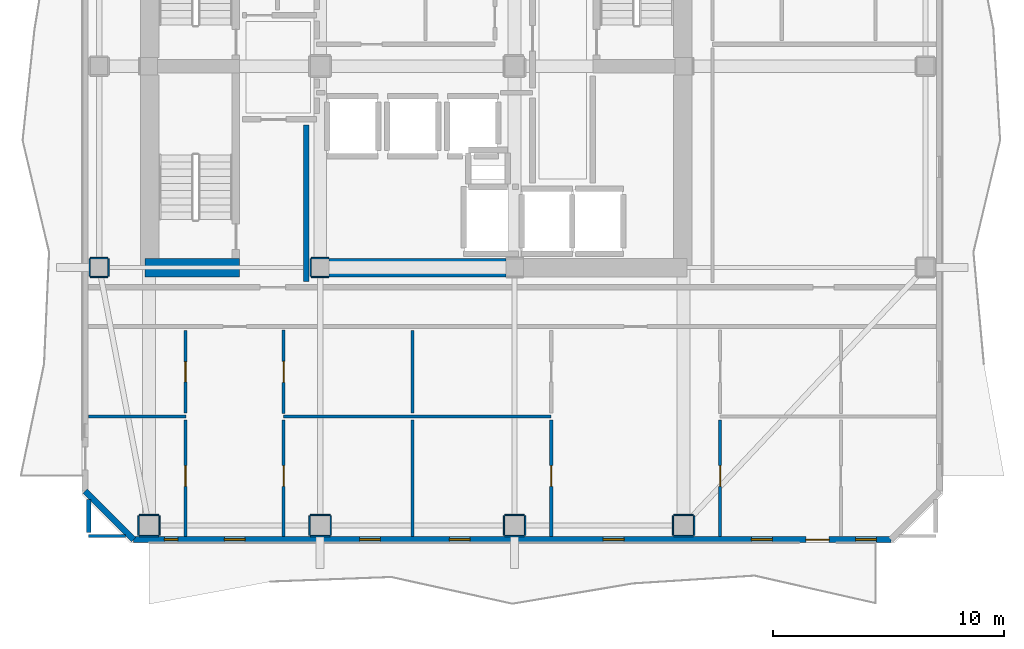
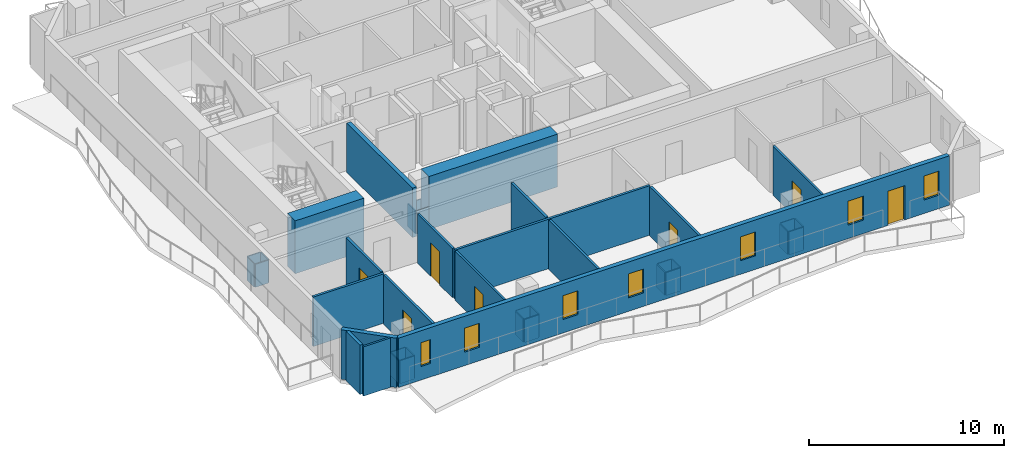
# One storey, part 2 of 9: 40 walls, 7 doors, 7 windows, 14 openings.
"""IFC4 building model written with IfcOpenShell, lengths in metres."""

from ifc_helpers import new_model, si_unit, direction, frame, frame_2d, origin, place, context, subcontext, project, spatial, rectangle, extrude, material, layer, layer_set, type_object, element, fill, save


model = new_model("IFC4")

# Units and contexts
model_context = context("Model", 3, precision=1e-05, world=origin(), true_north=direction((0.0, 1.0)))
body_context = subcontext(model_context, "Body", "Model", "MODEL_VIEW")
ifc_project = project(units=[si_unit("LENGTHUNIT", "METRE"), si_unit("AREAUNIT", "SQUARE_METRE"), si_unit("VOLUMEUNIT", "CUBIC_METRE"), si_unit("PLANEANGLEUNIT", "RADIAN"), si_unit("MASSUNIT", "GRAM", prefix="KILO")], contexts=[model_context])

# Site, building, storey
site_placement = place(None, origin())
site = spatial("IfcSite", under=ifc_project, at=site_placement, CompositionType="ELEMENT")
building_placement = place(site_placement, origin())
building = spatial("IfcBuilding", under=site, at=building_placement, Name="Solanera Arch Residences", CompositionType="ELEMENT")
storey_placement = place(building_placement, frame((0.0, 0.0, 220.0400390625)))
storey = spatial("IfcBuildingStorey", under=building, at=storey_placement, Name="L64", CompositionType="ELEMENT", Elevation=220.0400390625)

# Walls
ifc_material_1 = material(Name="Fire-Rated Gypsum Stud Partition", Category="gypsum")
ifc_layer_1 = layer(ifc_material_1, 0.06005859375)
ifc_layer_set_1 = layer_set([ifc_layer_1], Name="Fire-Rated Gypsum Stud Partition")
wall_type_1 = type_object("IfcWallType", Name="Column Acoustic Furring Wall 60", PredefinedType="PARTITIONING", material=ifc_layer_set_1)
for number, where, z_axis, x_axis, name in (
    (1, (20.425048828125, 21.593017578125, 0.0), (0.0, 0.0, 1.0), (1.0, 0.0, 0.0), "L64 Column Furring 1S"),
    (2, (20.425048828125, 22.406982421875, 0.0), (0.0, 0.0, 1.0), (1.0, 0.0, 0.0), "L64 Column Furring 1N"),
):
    element("IfcWall", number, at=place(storey_placement, frame(where, z_axis=z_axis, x_axis=x_axis)), inside=storey, type_object=wall_type_1, Name=name, PredefinedType="PARTITIONING", context=body_context, shape_type="SweptSolid", body=[
        extrude(rectangle(XDim=0.741943359375, YDim=0.06005859375, at=frame_2d((0.37109375, 0.0))), origin(), (0.0, 0.0, 1.0), 1.449951171875),
    ])
wall_1_placement = place(storey_placement, frame((20.39306640625, 21.625, 0.0), z_axis=(0.0, 0.0, 1.0), x_axis=(0.0, 1.0, 0.0)))
element("IfcWall", 3, at=wall_1_placement, inside=storey, type_object=wall_type_1, Name="L64 Column Furring 1W", PredefinedType="PARTITIONING", context=body_context, shape_type="SweptSolid", body=[
    extrude(rectangle(XDim=0.75, YDim=0.06005859375, at=frame_2d((0.375, 0.0))), origin(), (0.0, 0.0, 1.0), 1.449951171875),
])
for number, where, z_axis, x_axis, name in (
    (4, (12.97509765625, 10.39306640625, 0.0), (0.0, 0.0, 1.0), (1.0, 0.0, 0.0), "L64 Column Furring 9S"),
    (5, (12.97509765625, 11.306884765625, 0.0), (0.0, 0.0, 1.0), (1.0, 0.0, 0.0), "L64 Column Furring 9N"),
    (6, (12.943115234375, 10.425048828125, 0.0), (0.0, 0.0, 1.0), (0.0, 1.0, 0.0), "L64 Column Furring 9W"),
    (7, (13.85693359375, 10.425048828125, 0.0), (0.0, 0.0, 1.0), (0.0, 1.0, 0.0), "L64 Column Furring 9E"),
):
    element("IfcWall", number, at=place(storey_placement, frame(where, z_axis=z_axis, x_axis=x_axis)), inside=storey, type_object=wall_type_1, Name=name, PredefinedType="PARTITIONING", context=body_context, shape_type="SweptSolid", body=[
        extrude(rectangle(XDim=0.849853515625, YDim=0.06005859375, at=frame_2d((0.4248046875, 0.0))), origin(), (0.0, 0.0, 1.0), 1.449951171875),
    ])
for number, where, z_axis, x_axis, name in (
    (8, (20.375, 10.39306640625, 0.0), (0.0, 0.0, 1.0), (1.0, 0.0, 0.0), "L64 Column Furring 11S"),
    (9, (20.375, 11.306884765625, 0.0), (0.0, 0.0, 1.0), (1.0, 0.0, 0.0), "L64 Column Furring 11N"),
):
    element("IfcWall", number, at=place(storey_placement, frame(where, z_axis=z_axis, x_axis=x_axis)), inside=storey, type_object=wall_type_1, Name=name, PredefinedType="PARTITIONING", context=body_context, shape_type="SweptSolid", body=[
        extrude(rectangle(XDim=0.85009765625, YDim=0.06005859375, at=frame_2d((0.425048828125, 0.0))), origin(), (0.0, 0.0, 1.0), 1.449951171875),
    ])
for number, where, z_axis, x_axis, name in (
    (10, (20.343017578125, 10.425048828125, 0.0), (0.0, 0.0, 1.0), (0.0, 1.0, 0.0), "L64 Column Furring 11W"),
    (11, (21.257080078125, 10.425048828125, 0.0), (0.0, 0.0, 1.0), (0.0, 1.0, 0.0), "L64 Column Furring 11E"),
):
    element("IfcWall", number, at=place(storey_placement, frame(where, z_axis=z_axis, x_axis=x_axis)), inside=storey, type_object=wall_type_1, Name=name, PredefinedType="PARTITIONING", context=body_context, shape_type="SweptSolid", body=[
        extrude(rectangle(XDim=0.849853515625, YDim=0.06005859375, at=frame_2d((0.4248046875, 0.0))), origin(), (0.0, 0.0, 1.0), 1.449951171875),
    ])
for number, where, z_axis, x_axis, name in (
    (12, (28.77490234375, 10.39306640625, 0.0), (0.0, 0.0, 1.0), (1.0, 0.0, 0.0), "L64 Column Furring 13S"),
    (13, (28.77490234375, 11.306884765625, 0.0), (0.0, 0.0, 1.0), (1.0, 0.0, 0.0), "L64 Column Furring 13N"),
):
    element("IfcWall", number, at=place(storey_placement, frame(where, z_axis=z_axis, x_axis=x_axis)), inside=storey, type_object=wall_type_1, Name=name, PredefinedType="PARTITIONING", context=body_context, shape_type="SweptSolid", body=[
        extrude(rectangle(XDim=0.85009765625, YDim=0.06005859375, at=frame_2d((0.425048828125, 0.0))), origin(), (0.0, 0.0, 1.0), 1.449951171875),
    ])
for number, where, z_axis, x_axis, name in (
    (14, (28.742919921875, 10.425048828125, 0.0), (0.0, 0.0, 1.0), (0.0, 1.0, 0.0), "L64 Column Furring 13W"),
    (15, (29.656982421875, 10.425048828125, 0.0), (0.0, 0.0, 1.0), (0.0, 1.0, 0.0), "L64 Column Furring 13E"),
):
    element("IfcWall", number, at=place(storey_placement, frame(where, z_axis=z_axis, x_axis=x_axis)), inside=storey, type_object=wall_type_1, Name=name, PredefinedType="PARTITIONING", context=body_context, shape_type="SweptSolid", body=[
        extrude(rectangle(XDim=0.849853515625, YDim=0.06005859375, at=frame_2d((0.4248046875, 0.0))), origin(), (0.0, 0.0, 1.0), 1.449951171875),
    ])
for number, where, z_axis, x_axis, name in (
    (16, (36.074951171875, 10.39306640625, 0.0), (0.0, 0.0, 1.0), (1.0, 0.0, 0.0), "L64 Column Furring 15S"),
    (17, (36.074951171875, 11.306884765625, 0.0), (0.0, 0.0, 1.0), (1.0, 0.0, 0.0), "L64 Column Furring 15N"),
):
    element("IfcWall", number, at=place(storey_placement, frame(where, z_axis=z_axis, x_axis=x_axis)), inside=storey, type_object=wall_type_1, Name=name, PredefinedType="PARTITIONING", context=body_context, shape_type="SweptSolid", body=[
        extrude(rectangle(XDim=0.85009765625, YDim=0.06005859375, at=frame_2d((0.425048828125, 0.0))), origin(), (0.0, 0.0, 1.0), 1.449951171875),
    ])
for number, where, z_axis, x_axis, name in (
    (18, (36.04296875, 10.425048828125, 0.0), (0.0, 0.0, 1.0), (0.0, 1.0, 0.0), "L64 Column Furring 15W"),
    (19, (36.95703125, 10.425048828125, 0.0), (0.0, 0.0, 1.0), (0.0, 1.0, 0.0), "L64 Column Furring 15E"),
):
    element("IfcWall", number, at=place(storey_placement, frame(where, z_axis=z_axis, x_axis=x_axis)), inside=storey, type_object=wall_type_1, Name=name, PredefinedType="PARTITIONING", context=body_context, shape_type="SweptSolid", body=[
        extrude(rectangle(XDim=0.849853515625, YDim=0.06005859375, at=frame_2d((0.4248046875, 0.0))), origin(), (0.0, 0.0, 1.0), 1.449951171875),
    ])
for number, where, z_axis, x_axis, name in (
    (20, (10.875, 21.593017578125, 0.0), (0.0, 0.0, 1.0), (1.0, 0.0, 0.0), "L64 Column Furring 17S"),
    (21, (10.875, 22.406982421875, 0.0), (0.0, 0.0, 1.0), (1.0, 0.0, 0.0), "L64 Column Furring 17N"),
    (22, (10.843017578125, 21.625, 0.0), (0.0, 0.0, 1.0), (0.0, 1.0, 0.0), "L64 Column Furring 17W"),
    (23, (11.656982421875, 21.625, 0.0), (0.0, 0.0, 1.0), (0.0, 1.0, 0.0), "L64 Column Furring 17E"),
):
    element("IfcWall", number, at=place(storey_placement, frame(where, z_axis=z_axis, x_axis=x_axis)), inside=storey, type_object=wall_type_1, Name=name, PredefinedType="PARTITIONING", context=body_context, shape_type="SweptSolid", body=[
        extrude(rectangle(XDim=0.75, YDim=0.06005859375, at=frame_2d((0.375, 0.0))), origin(), (0.0, 0.0, 1.0), 1.449951171875),
    ])
ifc_material_2 = material(Name="Concrete C40/50 (f'c = 45 MPa)", Category="concrete")
ifc_layer_2 = layer(ifc_material_2, 0.800048828125)
ifc_layer_set_2 = layer_set([ifc_layer_2], Name="Concrete C40/50 (f'c = 45 MPa)")
wall_type_2 = type_object("IfcWallType", Name="Core Shear Wall CW-800", PredefinedType="SHEAR", material=ifc_layer_set_2)
wall_2_placement = place(storey_placement, frame((13.239990234375, 22.0, 0.0), z_axis=(0.0, 0.0, 1.0), x_axis=(1.0, 0.0, 0.0)))
element("IfcWall", 24, at=wall_2_placement, inside=storey, type_object=wall_type_2, Name="L64 South-West Core Shear Wall", PredefinedType="SHEAR", context=body_context, shape_type="SweptSolid", body=[
    extrude(rectangle(XDim=4.080078125, YDim=0.800048828125, at=frame_2d((2.0400390625, 0.0))), origin(), (0.0, 0.0, 1.0), 3.320068359375),
])
wall_3_placement = place(storey_placement, frame((21.179931640625, 22.0, 0.0), z_axis=(0.0, 0.0, 1.0), x_axis=(1.0, 0.0, 0.0)))
element("IfcWall", 25, at=wall_3_placement, inside=storey, type_object=wall_type_2, Name="L64 Central South Core Shear Wall", PredefinedType="SHEAR", context=body_context, shape_type="SweptSolid", body=[
    extrude(rectangle(XDim=7.64013671875, YDim=0.800048828125, at=frame_2d((3.820068359375, 0.0))), origin(), (0.0, 0.0, 1.0), 3.320068359375),
])
ifc_material_3 = material(Name="Autoclaved Aerated Concrete Blockwork", Category="masonry")
ifc_layer_3 = layer(ifc_material_3, 0.179931640625)
ifc_layer_set_3 = layer_set([ifc_layer_3], Name="Autoclaved Aerated Concrete Blockwork")
wall_type_3 = type_object("IfcWallType", Name="Corridor Fire Partition 180", PredefinedType="PARTITIONING", material=ifc_layer_set_3)
wall_4_placement = place(storey_placement, frame((10.800048828125, 10.55810546875, 0.0), z_axis=(0.0, 0.0, 1.0), x_axis=(0.0, 1.0, 0.0)))
element("IfcWall", 26, at=wall_4_placement, inside=storey, type_object=wall_type_3, Name="L64 Interior Partition V6", PredefinedType="PARTITIONING", context=body_context, shape_type="SweptSolid", body=[
    extrude(rectangle(XDim=1.430908203125, YDim=0.179931640625, at=frame_2d((0.71533203125, 0.0))), origin(), (0.0, 0.0, 1.0), 3.099853515625),
])

# Wall, openings, door, windows
ifc_material_4 = material(Name="Precast Concrete C35/45", Category="concrete")
ifc_layer_4 = layer(ifc_material_4, 0.260009765625)
ifc_layer_set_4 = layer_set([ifc_layer_4], Name="Precast Concrete C35/45")
wall_type_4 = type_object("IfcWallType", Name="Exterior Wall Precast Masonry-Frame 260", PredefinedType="STANDARD", material=ifc_layer_set_4)
wall_5_placement = place(storey_placement, frame((45.455078125, 10.2451171875, 0.0), z_axis=(0.0, 0.0, 1.0), x_axis=(-1.0, 0.0, 0.0)))
wall_5 = element("IfcWall", 27, at=wall_5_placement, inside=storey, type_object=wall_type_4, Name="L64 Tower Exterior Precast Masonry-Frame Wall S", PredefinedType="STANDARD", context=body_context, shape_type="SweptSolid", body=[
    extrude(rectangle(XDim=32.7099609375, YDim=0.260009765625, at=frame_2d((16.35498046875, 0.0))), origin(), (0.0, 0.0, 1.0), 3.099853515625),
])
opening_1_placement = place(wall_5_placement, frame((2.6650390625, 0.0, 0.0)))
opening_1 = element("IfcOpeningElement", 28, at=opening_1_placement, cuts=wall_5, Name="Opening DB-01", PredefinedType="OPENING", context=body_context, shape_type="SweptSolid", body=[
    extrude(rectangle(XDim=1.0, YDim=2.14990234375, at=frame_2d((0.5, 1.074951171875))), frame((0.0, 0.139892578125, 0.0), z_axis=(0.0, -1.0, 0.0), x_axis=(1.0, 0.0, 0.0)), (0.0, 0.0, 1.0), 0.28),
])
opening_2_placement = place(wall_5_placement, frame((27.89697265625, 0.0, 0.85009765625)))
opening_2 = element("IfcOpeningElement", 29, at=opening_2_placement, cuts=wall_5, Name="Opening W-06", PredefinedType="OPENING", context=body_context, shape_type="SweptSolid", body=[
    extrude(rectangle(XDim=0.89990234375, YDim=1.5, at=frame_2d((0.449951171875, 0.75))), frame((0.0, 0.139892578125, 0.0), z_axis=(0.0, -1.0, 0.0), x_axis=(1.0, 0.0, 0.0)), (0.0, 0.0, 1.0), 0.28),
])
opening_3_placement = place(wall_5_placement, frame((30.804931640625, 0.0, 0.85009765625)))
opening_3 = element("IfcOpeningElement", 30, at=opening_3_placement, cuts=wall_5, Name="Opening W-14", PredefinedType="OPENING", context=body_context, shape_type="SweptSolid", body=[
    extrude(rectangle(XDim=0.580078125, YDim=1.5, at=frame_2d((0.2900390625, 0.75))), frame((0.0, 0.139892578125, 0.0), z_axis=(0.0, -1.0, 0.0), x_axis=(1.0, 0.0, 0.0)), (0.0, 0.0, 1.0), 0.28),
])
opening_4_placement = place(wall_5_placement, frame((22.050048828125, 0.0, 0.85009765625)))
opening_4 = element("IfcOpeningElement", 31, at=opening_4_placement, cuts=wall_5, Name="Opening W-06", PredefinedType="OPENING", context=body_context, shape_type="SweptSolid", body=[
    extrude(rectangle(XDim=0.89990234375, YDim=1.5, at=frame_2d((0.449951171875, 0.75))), frame((0.0, 0.139892578125, 0.0), z_axis=(0.0, -1.0, 0.0), x_axis=(1.0, 0.0, 0.0)), (0.0, 0.0, 1.0), 0.28),
])
opening_5_placement = place(wall_5_placement, frame((11.527099609375, 0.0, 0.85009765625)))
opening_5 = element("IfcOpeningElement", 32, at=opening_5_placement, cuts=wall_5, Name="Opening W-06", PredefinedType="OPENING", context=body_context, shape_type="SweptSolid", body=[
    extrude(rectangle(XDim=0.89990234375, YDim=1.5, at=frame_2d((0.449951171875, 0.75))), frame((0.0, 0.139892578125, 0.0), z_axis=(0.0, -1.0, 0.0), x_axis=(1.0, 0.0, 0.0)), (0.0, 0.0, 1.0), 0.28),
])
opening_6_placement = place(wall_5_placement, frame((18.175048828125, 0.0, 0.85009765625)))
opening_6 = element("IfcOpeningElement", 33, at=opening_6_placement, cuts=wall_5, Name="Opening W-06", PredefinedType="OPENING", context=body_context, shape_type="SweptSolid", body=[
    extrude(rectangle(XDim=0.89990234375, YDim=1.5, at=frame_2d((0.449951171875, 0.75))), frame((0.0, 0.139892578125, 0.0), z_axis=(0.0, -1.0, 0.0), x_axis=(1.0, 0.0, 0.0)), (0.0, 0.0, 1.0), 0.28),
])
opening_7_placement = place(wall_5_placement, frame((5.1201171875, 0.0, 0.85009765625)))
opening_7 = element("IfcOpeningElement", 34, at=opening_7_placement, cuts=wall_5, Name="Opening W-06", PredefinedType="OPENING", context=body_context, shape_type="SweptSolid", body=[
    extrude(rectangle(XDim=0.89990234375, YDim=1.5, at=frame_2d((0.449951171875, 0.75))), frame((0.0, 0.139892578125, 0.0), z_axis=(0.0, -1.0, 0.0), x_axis=(1.0, 0.0, 0.0)), (0.0, 0.0, 1.0), 0.28),
])
opening_8_placement = place(wall_5_placement, frame((0.623046875, 0.0, 0.85009765625)))
opening_8 = element("IfcOpeningElement", 35, at=opening_8_placement, cuts=wall_5, Name="Opening W-06", PredefinedType="OPENING", context=body_context, shape_type="SweptSolid", body=[
    extrude(rectangle(XDim=0.89990234375, YDim=1.5, at=frame_2d((0.449951171875, 0.75))), frame((0.0, 0.139892578125, 0.0), z_axis=(0.0, -1.0, 0.0), x_axis=(1.0, 0.0, 0.0)), (0.0, 0.0, 1.0), 0.28),
])
ifc_material_5 = material(Name="Anodised Aluminium Alloy 6063-T6", Category="aluminium")
door_type_1 = type_object("IfcDoorType", Name="Glazed Balcony Swing Door DB-01", OperationType="NOTDEFINED", PredefinedType="DOOR", material=ifc_material_5)
door_1_placement = place(opening_1_placement, origin())
door_1 = element("IfcDoor", 36, at=door_1_placement, inside=storey, type_object=door_type_1, Name="DR-L64-OUT-01", OperationType="SINGLE_SWING_RIGHT", OverallHeight=2.14990234375, OverallWidth=1.0, PredefinedType="DOOR", context=body_context, shape_type="SweptSolid", body=[
    extrude(rectangle(XDim=1.0, YDim=2.14990234375, at=frame_2d((0.5, 1.074951171875))), frame((0.0, 0.02490234375, 0.0), z_axis=(0.0, -1.0, 0.0), x_axis=(1.0, 0.0, 0.0)), (0.0, 0.0, 1.0), 0.050048828125),
])
fill(opening_1, door_1)
ifc_material_6 = material(Name="Double Glazed Low-E Laminated Glass", Category="glass")
window_type_1 = type_object("IfcWindowType", Name="Punched Window W-06", PartitioningType="SINGLE_PANEL", PredefinedType="WINDOW", material=ifc_material_6)
window_1_placement = place(opening_2_placement, origin())
window_1 = element("IfcWindow", 37, at=window_1_placement, inside=storey, type_object=window_type_1, Name="L64 6401-LIV Punched Window", OverallHeight=1.5, OverallWidth=0.89990234375, PartitioningType="SINGLE_PANEL", PredefinedType="WINDOW", context=body_context, shape_type="SweptSolid", body=[
    extrude(rectangle(XDim=0.89990234375, YDim=1.5, at=frame_2d((0.449951171875, 0.75))), frame((0.0, 0.030029296875, 0.0), z_axis=(0.0, -1.0, 0.0), x_axis=(1.0, 0.0, 0.0)), (0.0, 0.0, 1.0), 0.06005859375),
])
fill(opening_2, window_1)
window_2_placement = place(opening_4_placement, origin())
window_2 = element("IfcWindow", 38, at=window_2_placement, inside=storey, type_object=window_type_1, Name="L64 6401-BR2 Punched Window", OverallHeight=1.5, OverallWidth=0.89990234375, PartitioningType="SINGLE_PANEL", PredefinedType="WINDOW", context=body_context, shape_type="SweptSolid", body=[
    extrude(rectangle(XDim=0.89990234375, YDim=1.5, at=frame_2d((0.449951171875, 0.75))), frame((0.0, 0.030029296875, 0.0), z_axis=(0.0, -1.0, 0.0), x_axis=(1.0, 0.0, 0.0)), (0.0, 0.0, 1.0), 0.06005859375),
])
fill(opening_4, window_2)
window_3_placement = place(opening_5_placement, origin())
window_3 = element("IfcWindow", 39, at=window_3_placement, inside=storey, type_object=window_type_1, Name="L64 6402-LIV Punched Window", OverallHeight=1.5, OverallWidth=0.89990234375, PartitioningType="SINGLE_PANEL", PredefinedType="WINDOW", context=body_context, shape_type="SweptSolid", body=[
    extrude(rectangle(XDim=0.89990234375, YDim=1.5, at=frame_2d((0.449951171875, 0.75))), frame((0.0, 0.030029296875, 0.0), z_axis=(0.0, -1.0, 0.0), x_axis=(1.0, 0.0, 0.0)), (0.0, 0.0, 1.0), 0.06005859375),
])
fill(opening_5, window_3)
window_4_placement = place(opening_6_placement, origin())
window_4 = element("IfcWindow", 40, at=window_4_placement, inside=storey, type_object=window_type_1, Name="L64 6402-BR1 Punched Window", OverallHeight=1.5, OverallWidth=0.89990234375, PartitioningType="SINGLE_PANEL", PredefinedType="WINDOW", context=body_context, shape_type="SweptSolid", body=[
    extrude(rectangle(XDim=0.89990234375, YDim=1.5, at=frame_2d((0.449951171875, 0.75))), frame((0.0, 0.030029296875, 0.0), z_axis=(0.0, -1.0, 0.0), x_axis=(1.0, 0.0, 0.0)), (0.0, 0.0, 1.0), 0.06005859375),
])
fill(opening_6, window_4)
window_5_placement = place(opening_7_placement, origin())
window_5 = element("IfcWindow", 41, at=window_5_placement, inside=storey, type_object=window_type_1, Name="L64 6402-BR2 Punched Window", OverallHeight=1.5, OverallWidth=0.89990234375, PartitioningType="SINGLE_PANEL", PredefinedType="WINDOW", context=body_context, shape_type="SweptSolid", body=[
    extrude(rectangle(XDim=0.89990234375, YDim=1.5, at=frame_2d((0.449951171875, 0.75))), frame((0.0, 0.030029296875, 0.0), z_axis=(0.0, -1.0, 0.0), x_axis=(1.0, 0.0, 0.0)), (0.0, 0.0, 1.0), 0.06005859375),
])
fill(opening_7, window_5)
window_6_placement = place(opening_8_placement, origin())
window_6 = element("IfcWindow", 42, at=window_6_placement, inside=storey, type_object=window_type_1, Name="L64 6402-BR3 Punched Window", OverallHeight=1.5, OverallWidth=0.89990234375, PartitioningType="SINGLE_PANEL", PredefinedType="WINDOW", context=body_context, shape_type="SweptSolid", body=[
    extrude(rectangle(XDim=0.89990234375, YDim=1.5, at=frame_2d((0.449951171875, 0.75))), frame((0.0, 0.030029296875, 0.0), z_axis=(0.0, -1.0, 0.0), x_axis=(1.0, 0.0, 0.0)), (0.0, 0.0, 1.0), 0.06005859375),
])
fill(opening_8, window_6)
ifc_material_7 = material(Name="Double Glazed Low-E Laminated Glass", Category="glass")
window_type_2 = type_object("IfcWindowType", Name="Punched Window W-14", PartitioningType="SINGLE_PANEL", PredefinedType="WINDOW", material=ifc_material_7)
window_7_placement = place(opening_3_placement, origin())
window_7 = element("IfcWindow", 43, at=window_7_placement, inside=storey, type_object=window_type_2, Name="L64 6401-BR1 Punched Window", OverallHeight=1.5, OverallWidth=0.580078125, PartitioningType="SINGLE_PANEL", PredefinedType="WINDOW", context=body_context, shape_type="SweptSolid", body=[
    extrude(rectangle(XDim=0.580078125, YDim=1.5, at=frame_2d((0.2900390625, 0.75))), frame((0.0, 0.030029296875, 0.0), z_axis=(0.0, -1.0, 0.0), x_axis=(1.0, 0.0, 0.0)), (0.0, 0.0, 1.0), 0.06005859375),
])
fill(opening_3, window_7)

# Walls
wall_6_placement = place(storey_placement, frame((12.7451171875, 10.2451171875, 0.0), z_axis=(0.0, 0.0, 1.0), x_axis=(-0.707147883682, 0.707065676302, 0.0)))
element("IfcWall", 44, at=wall_6_placement, inside=storey, type_object=wall_type_4, Name="L64 Tower Exterior Precast Masonry-Frame Wall CH7", PredefinedType="STANDARD", context=body_context, shape_type="SweptSolid", body=[
    extrude(rectangle(XDim=2.9697265625, YDim=0.260009765625, at=frame_2d((1.48486328125, 0.0))), origin(), (0.0, 0.0, 1.0), 3.099853515625),
])
ifc_material_8 = material(Name="Autoclaved Aerated Concrete Blockwork", Category="masonry")
ifc_layer_5 = layer(ifc_material_8, 0.239990234375)
ifc_layer_set_5 = layer_set([ifc_layer_5], Name="Autoclaved Aerated Concrete Blockwork")
wall_type_5 = type_object("IfcWallType", Name="Shaft Wall Fire-Rated 240", PredefinedType="PARTITIONING", material=ifc_layer_set_5)
wall_7_placement = place(storey_placement, frame((20.199951171875, 21.39794921875, 0.0), z_axis=(0.0, 0.0, 1.0), x_axis=(0.0, 1.0, 0.0)))
element("IfcWall", 45, at=wall_7_placement, inside=storey, type_object=wall_type_5, Name="L64 Interior Partition V2", PredefinedType="PARTITIONING", context=body_context, shape_type="SweptSolid", body=[
    extrude(rectangle(XDim=6.754150390625, YDim=0.239990234375, at=frame_2d((3.376953125, 0.0))), origin(), (0.0, 0.0, 1.0), 3.099853515625),
])
ifc_material_9 = material(Name="Fire-Rated Gypsum Stud Partition", Category="gypsum")
ifc_layer_6 = layer(ifc_material_9, 0.1201171875)
ifc_layer_set_6 = layer_set([ifc_layer_6], Name="Fire-Rated Gypsum Stud Partition")
wall_type_6 = type_object("IfcWallType", Name="Unit Drywall Partition 120", PredefinedType="PARTITIONING", material=ifc_layer_set_6)
wall_8_placement = place(storey_placement, frame((10.800048828125, 10.39990234375, 0.0), z_axis=(0.0, 0.0, 1.0), x_axis=(1.0, 0.0, 0.0)))
element("IfcWall", 46, at=wall_8_placement, inside=storey, type_object=wall_type_6, Name="L64 Interior Partition H19 1", PredefinedType="PARTITIONING", context=body_context, shape_type="SweptSolid", body=[
    extrude(rectangle(XDim=1.5888671875, YDim=0.1201171875, at=frame_2d((0.79443359375, 0.0))), origin(), (0.0, 0.0, 1.0), 3.099853515625),
])

# Wall, opening, door
wall_9_placement = place(storey_placement, frame((19.219970703125, 10.386962890625, 0.0), z_axis=(0.0, 0.0, 1.0), x_axis=(0.0, 1.0, 0.0)))
wall_9 = element("IfcWall", 47, at=wall_9_placement, inside=storey, type_object=wall_type_6, Name="L64 Interior Partition V19 1", PredefinedType="PARTITIONING", context=body_context, shape_type="SweptSolid", body=[
    extrude(rectangle(XDim=5.033935546875, YDim=0.1201171875, at=frame_2d((2.51708984375, 0.0))), origin(), (0.0, 0.0, 1.0), 3.099853515625),
])
opening_9_placement = place(wall_9_placement, frame((2.155029296875, 0.0, 0.0)))
opening_9 = element("IfcOpeningElement", 48, at=opening_9_placement, cuts=wall_9, Name="Opening DI-03", PredefinedType="OPENING", context=body_context, shape_type="SweptSolid", body=[
    extrude(rectangle(XDim=0.89990234375, YDim=2.10009765625, at=frame_2d((0.449951171875, 1.050048828125))), frame((0.0, 0.070068359375, 0.0), z_axis=(0.0, -1.0, 0.0), x_axis=(1.0, 0.0, 0.0)), (0.0, 0.0, 1.0), 0.1401),
])
ifc_material_10 = material(Name="Fire-Rated Architectural Hardwood", Category="wood")
door_type_2 = type_object("IfcDoorType", Name="Bedroom Swing Door DI-03", OperationType="NOTDEFINED", PredefinedType="DOOR", material=ifc_material_10)
door_2_placement = place(opening_9_placement, origin())
door_2 = element("IfcDoor", 49, at=door_2_placement, inside=storey, type_object=door_type_2, Name="DR-L64-IN-018", OperationType="SINGLE_SWING_LEFT", OverallHeight=2.10009765625, OverallWidth=0.89990234375, PredefinedType="DOOR", context=body_context, shape_type="SweptSolid", body=[
    extrude(rectangle(XDim=0.89990234375, YDim=2.10009765625, at=frame_2d((0.449951171875, 1.050048828125))), frame((0.0, 0.02490234375, 0.0), z_axis=(0.0, -1.0, 0.0), x_axis=(1.0, 0.0, 0.0)), (0.0, 0.0, 1.0), 0.050048828125),
])
fill(opening_9, door_2)

wall_10_placement = place(storey_placement, frame((19.219970703125, 15.697021484375, 0.0), z_axis=(0.0, 0.0, 1.0), x_axis=(0.0, 1.0, 0.0)))
wall_10 = element("IfcWall", 50, at=wall_10_placement, inside=storey, type_object=wall_type_6, Name="L64 Interior Partition V19 2", PredefinedType="PARTITIONING", context=body_context, shape_type="SweptSolid", body=[
    extrude(rectangle(XDim=3.594970703125, YDim=0.1201171875, at=frame_2d((1.79736328125, 0.0))), origin(), (0.0, 0.0, 1.0), 3.099853515625),
])
opening_10_placement = place(wall_10_placement, frame((1.344970703125, 0.0, 0.0)))
opening_10 = element("IfcOpeningElement", 51, at=opening_10_placement, cuts=wall_10, Name="Opening DI-02", PredefinedType="OPENING", context=body_context, shape_type="SweptSolid", body=[
    extrude(rectangle(XDim=0.89990234375, YDim=2.10009765625, at=frame_2d((0.449951171875, 1.050048828125))), frame((0.0, 0.070068359375, 0.0), z_axis=(0.0, -1.0, 0.0), x_axis=(1.0, 0.0, 0.0)), (0.0, 0.0, 1.0), 0.1401),
])
ifc_material_11 = material(Name="Fire-Rated Architectural Hardwood", Category="wood")
door_type_3 = type_object("IfcDoorType", Name="Suite Room Swing Door DI-02", OperationType="NOTDEFINED", PredefinedType="DOOR", material=ifc_material_11)
door_3_placement = place(opening_10_placement, origin())
door_3 = element("IfcDoor", 52, at=door_3_placement, inside=storey, type_object=door_type_3, Name="DR-L64-IN-017", OperationType="SINGLE_SWING_RIGHT", OverallHeight=2.10009765625, OverallWidth=0.89990234375, PredefinedType="DOOR", context=body_context, shape_type="SweptSolid", body=[
    extrude(rectangle(XDim=0.89990234375, YDim=2.10009765625, at=frame_2d((0.449951171875, 1.050048828125))), frame((0.0, 0.02490234375, 0.0), z_axis=(0.0, -1.0, 0.0), x_axis=(1.0, 0.0, 0.0)), (0.0, 0.0, 1.0), 0.050048828125),
])
fill(opening_10, door_3)

wall_11_placement = place(storey_placement, frame((38.080078125, 10.386962890625, 0.0), z_axis=(0.0, 0.0, 1.0), x_axis=(0.0, 1.0, 0.0)))
wall_11 = element("IfcWall", 53, at=wall_11_placement, inside=storey, type_object=wall_type_6, Name="L64 Interior Partition V23 1", PredefinedType="PARTITIONING", context=body_context, shape_type="SweptSolid", body=[
    extrude(rectangle(XDim=5.033935546875, YDim=0.1201171875, at=frame_2d((2.51708984375, 0.0))), origin(), (0.0, 0.0, 1.0), 3.099853515625),
])
opening_11_placement = place(wall_11_placement, frame((2.155029296875, 0.0, 0.0)))
opening_11 = element("IfcOpeningElement", 54, at=opening_11_placement, cuts=wall_11, Name="Opening DI-03", PredefinedType="OPENING", context=body_context, shape_type="SweptSolid", body=[
    extrude(rectangle(XDim=0.89990234375, YDim=2.10009765625, at=frame_2d((0.449951171875, 1.050048828125))), frame((0.0, 0.070068359375, 0.0), z_axis=(0.0, -1.0, 0.0), x_axis=(1.0, 0.0, 0.0)), (0.0, 0.0, 1.0), 0.1401),
])
door_4_placement = place(opening_11_placement, origin())
door_4 = element("IfcDoor", 55, at=door_4_placement, inside=storey, type_object=door_type_2, Name="DR-L64-IN-024", OperationType="SINGLE_SWING_LEFT", OverallHeight=2.10009765625, OverallWidth=0.89990234375, PredefinedType="DOOR", context=body_context, shape_type="SweptSolid", body=[
    extrude(rectangle(XDim=0.89990234375, YDim=2.10009765625, at=frame_2d((0.449951171875, 1.050048828125))), frame((0.0, 0.02490234375, 0.0), z_axis=(0.0, -1.0, 0.0), x_axis=(1.0, 0.0, 0.0)), (0.0, 0.0, 1.0), 0.050048828125),
])
fill(opening_11, door_4)

# Walls
ifc_material_12 = material(Name="Autoclaved Aerated Concrete Blockwork", Category="masonry")
ifc_layer_7 = layer(ifc_material_12, 0.139892578125)
ifc_layer_set_7 = layer_set([ifc_layer_7], Name="Autoclaved Aerated Concrete Blockwork")
wall_type_7 = type_object("IfcWallType", Name="Wet-Room Partition 140", PredefinedType="PARTITIONING", material=ifc_layer_set_7)
wall_12_placement = place(storey_placement, frame((10.787109375, 15.55908203125, 0.0), z_axis=(0.0, 0.0, 1.0), x_axis=(1.0, 0.0, 0.0)))
element("IfcWall", 56, at=wall_12_placement, inside=storey, type_object=wall_type_7, Name="L64 Interior Partition H14", PredefinedType="PARTITIONING", context=body_context, shape_type="SweptSolid", body=[
    extrude(rectangle(XDim=4.2080078125, YDim=0.139892578125, at=frame_2d((2.10400390625, 0.0))), origin(), (0.0, 0.0, 1.0), 3.099853515625),
])
wall_13_placement = place(storey_placement, frame((19.219970703125, 15.55908203125, 0.0), z_axis=(0.0, 0.0, 1.0), x_axis=(1.0, 0.0, 0.0)))
element("IfcWall", 57, at=wall_13_placement, inside=storey, type_object=wall_type_7, Name="L64 Interior Partition H15", PredefinedType="PARTITIONING", context=body_context, shape_type="SweptSolid", body=[
    extrude(rectangle(XDim=11.56005859375, YDim=0.139892578125, at=frame_2d((5.780029296875, 0.0))), origin(), (0.0, 0.0, 1.0), 3.099853515625),
])

# Wall, opening, door
wall_14_placement = place(storey_placement, frame((14.97998046875, 10.386962890625, 0.0), z_axis=(0.0, 0.0, 1.0), x_axis=(0.0, 1.0, 0.0)))
wall_14 = element("IfcWall", 58, at=wall_14_placement, inside=storey, type_object=wall_type_7, Name="L64 Interior Partition V11 1", PredefinedType="PARTITIONING", context=body_context, shape_type="SweptSolid", body=[
    extrude(rectangle(XDim=5.02392578125, YDim=0.139892578125, at=frame_2d((2.511962890625, 0.0))), origin(), (0.0, 0.0, 1.0), 3.099853515625),
])
opening_12_placement = place(wall_14_placement, frame((2.155029296875, 0.0, 0.0)))
opening_12 = element("IfcOpeningElement", 59, at=opening_12_placement, cuts=wall_14, Name="Opening DI-03", PredefinedType="OPENING", context=body_context, shape_type="SweptSolid", body=[
    extrude(rectangle(XDim=0.89990234375, YDim=2.10009765625, at=frame_2d((0.449951171875, 1.050048828125))), frame((0.0, 0.079833984375, 0.0), z_axis=(0.0, -1.0, 0.0), x_axis=(1.0, 0.0, 0.0)), (0.0, 0.0, 1.0), 0.1599),
])
door_5_placement = place(opening_12_placement, origin())
door_5 = element("IfcDoor", 60, at=door_5_placement, inside=storey, type_object=door_type_2, Name="DR-L64-IN-016", OperationType="SINGLE_SWING_LEFT", OverallHeight=2.10009765625, OverallWidth=0.89990234375, PredefinedType="DOOR", context=body_context, shape_type="SweptSolid", body=[
    extrude(rectangle(XDim=0.89990234375, YDim=2.10009765625, at=frame_2d((0.449951171875, 1.050048828125))), frame((0.0, 0.02490234375, 0.0), z_axis=(0.0, -1.0, 0.0), x_axis=(1.0, 0.0, 0.0)), (0.0, 0.0, 1.0), 0.050048828125),
])
fill(opening_12, door_5)

wall_15_placement = place(storey_placement, frame((14.97998046875, 15.70703125, 0.0), z_axis=(0.0, 0.0, 1.0), x_axis=(0.0, 1.0, 0.0)))
wall_15 = element("IfcWall", 61, at=wall_15_placement, inside=storey, type_object=wall_type_7, Name="L64 Interior Partition V11 2", PredefinedType="PARTITIONING", context=body_context, shape_type="SweptSolid", body=[
    extrude(rectangle(XDim=3.574951171875, YDim=0.139892578125, at=frame_2d((1.78759765625, 0.0))), origin(), (0.0, 0.0, 1.0), 3.099853515625),
])
opening_13_placement = place(wall_15_placement, frame((1.35498046875, 0.0, 0.0)))
opening_13 = element("IfcOpeningElement", 62, at=opening_13_placement, cuts=wall_15, Name="Opening DI-05", PredefinedType="OPENING", context=body_context, shape_type="SweptSolid", body=[
    extrude(rectangle(XDim=0.860107421875, YDim=2.02001953125, at=frame_2d((0.43017578125, 1.010009765625))), frame((0.0, 0.079833984375, 0.0), z_axis=(0.0, -1.0, 0.0), x_axis=(1.0, 0.0, 0.0)), (0.0, 0.0, 1.0), 0.1599),
])
ifc_material_13 = material(Name="Fire-Rated Architectural Hardwood", Category="wood")
door_type_4 = type_object("IfcDoorType", Name="Bathroom Swing Door DI-05", OperationType="NOTDEFINED", PredefinedType="DOOR", material=ifc_material_13)
door_6_placement = place(opening_13_placement, origin())
door_6 = element("IfcDoor", 63, at=door_6_placement, inside=storey, type_object=door_type_4, Name="DR-L64-IN-015", OperationType="SINGLE_SWING_RIGHT", OverallHeight=2.02001953125, OverallWidth=0.860107421875, PredefinedType="DOOR", context=body_context, shape_type="SweptSolid", body=[
    extrude(rectangle(XDim=0.860107421875, YDim=2.02001953125, at=frame_2d((0.43017578125, 1.010009765625))), frame((0.0, 0.02490234375, 0.0), z_axis=(0.0, -1.0, 0.0), x_axis=(1.0, 0.0, 0.0)), (0.0, 0.0, 1.0), 0.050048828125),
])
fill(opening_13, door_6)

# Walls
wall_16_placement = place(storey_placement, frame((24.783935546875, 10.386962890625, 0.0), z_axis=(0.0, 0.0, 1.0), x_axis=(0.0, 1.0, 0.0)))
element("IfcWall", 64, at=wall_16_placement, inside=storey, type_object=wall_type_7, Name="L64 Interior Partition V13 1", PredefinedType="PARTITIONING", context=body_context, shape_type="SweptSolid", body=[
    extrude(rectangle(XDim=5.02392578125, YDim=0.139892578125, at=frame_2d((2.511962890625, 0.0))), origin(), (0.0, 0.0, 1.0), 3.099853515625),
])
wall_17_placement = place(storey_placement, frame((24.783935546875, 15.70703125, 0.0), z_axis=(0.0, 0.0, 1.0), x_axis=(0.0, 1.0, 0.0)))
element("IfcWall", 65, at=wall_17_placement, inside=storey, type_object=wall_type_7, Name="L64 Interior Partition V13 2", PredefinedType="PARTITIONING", context=body_context, shape_type="SweptSolid", body=[
    extrude(rectangle(XDim=3.574951171875, YDim=0.139892578125, at=frame_2d((1.78759765625, 0.0))), origin(), (0.0, 0.0, 1.0), 3.099853515625),
])

# Wall, opening, door
wall_18_placement = place(storey_placement, frame((30.780029296875, 10.386962890625, 0.0), z_axis=(0.0, 0.0, 1.0), x_axis=(0.0, 1.0, 0.0)))
wall_18 = element("IfcWall", 66, at=wall_18_placement, inside=storey, type_object=wall_type_7, Name="L64 Interior Partition V15 1", PredefinedType="PARTITIONING", context=body_context, shape_type="SweptSolid", body=[
    extrude(rectangle(XDim=5.02392578125, YDim=0.139892578125, at=frame_2d((2.511962890625, 0.0))), origin(), (0.0, 0.0, 1.0), 3.099853515625),
])
opening_14_placement = place(wall_18_placement, frame((2.155029296875, 0.0, 0.0)))
opening_14 = element("IfcOpeningElement", 67, at=opening_14_placement, cuts=wall_18, Name="Opening DI-03", PredefinedType="OPENING", context=body_context, shape_type="SweptSolid", body=[
    extrude(rectangle(XDim=0.89990234375, YDim=2.10009765625, at=frame_2d((0.449951171875, 1.050048828125))), frame((0.0, 0.079833984375, 0.0), z_axis=(0.0, -1.0, 0.0), x_axis=(1.0, 0.0, 0.0)), (0.0, 0.0, 1.0), 0.1599),
])
door_7_placement = place(opening_14_placement, origin())
door_7 = element("IfcDoor", 68, at=door_7_placement, inside=storey, type_object=door_type_2, Name="DR-L64-IN-021", OperationType="SINGLE_SWING_RIGHT", OverallHeight=2.10009765625, OverallWidth=0.89990234375, PredefinedType="DOOR", context=body_context, shape_type="SweptSolid", body=[
    extrude(rectangle(XDim=0.89990234375, YDim=2.10009765625, at=frame_2d((0.449951171875, 1.050048828125))), frame((0.0, 0.02490234375, 0.0), z_axis=(0.0, -1.0, 0.0), x_axis=(1.0, 0.0, 0.0)), (0.0, 0.0, 1.0), 0.050048828125),
])
fill(opening_14, door_7)

save(model, "model.ifc")
